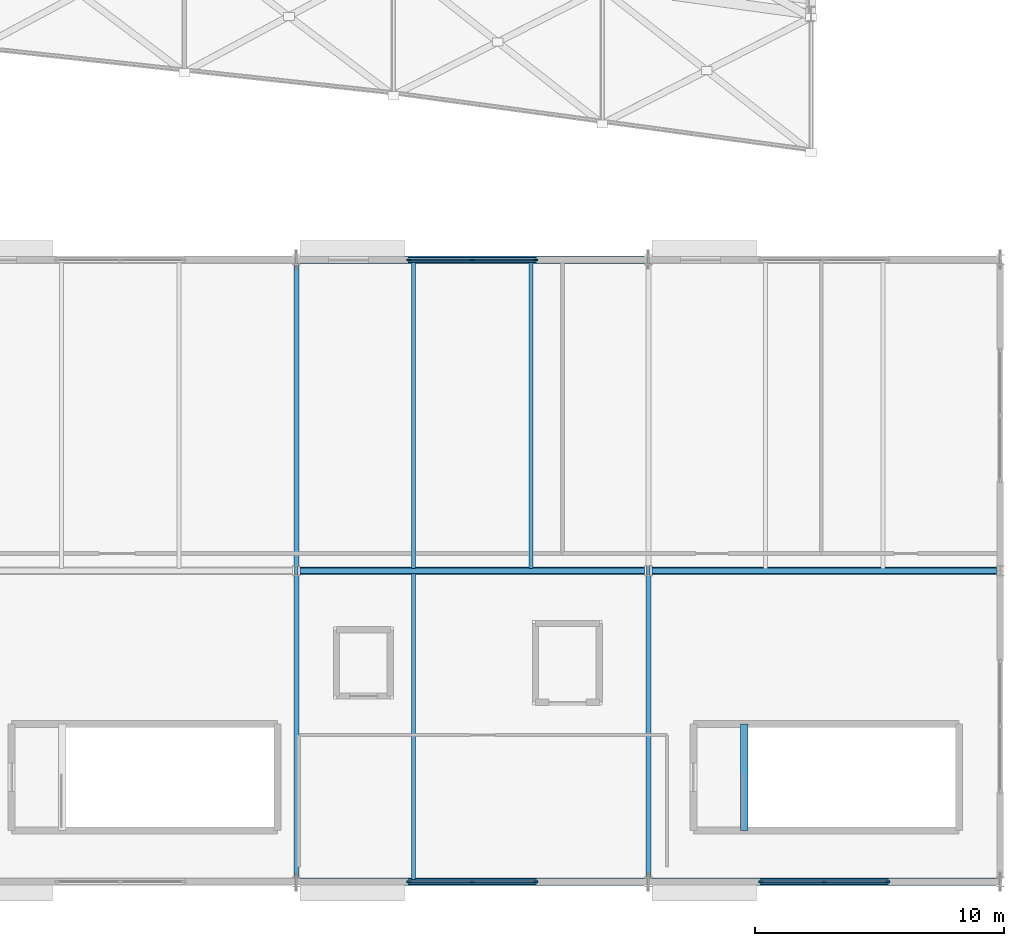
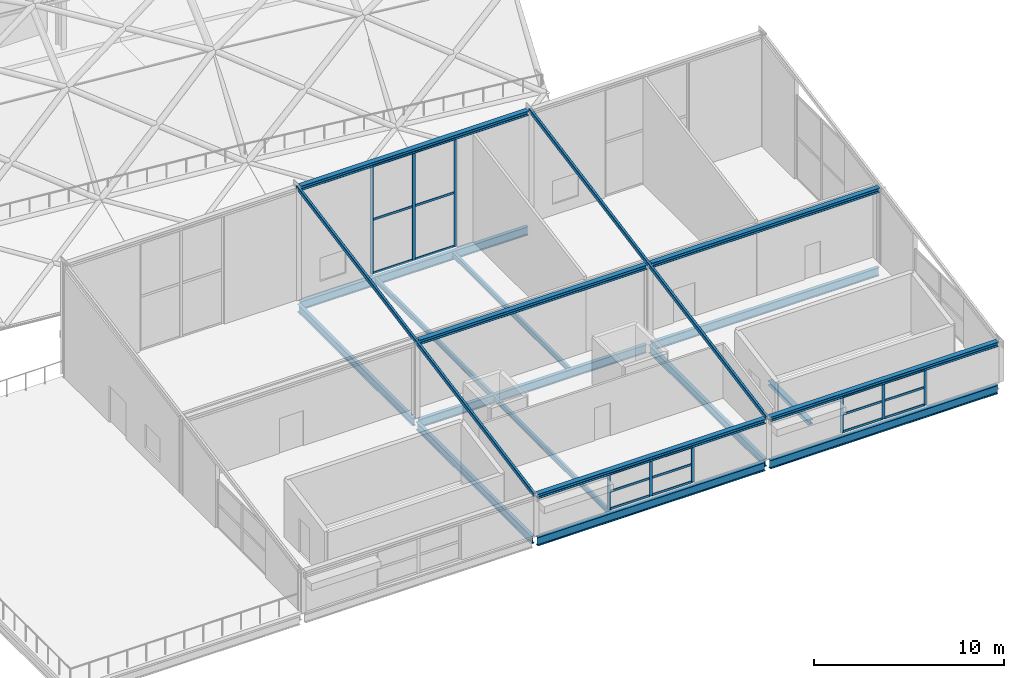
# One storey, part 48 of 100: 29 members, 17 beams, 3 elements without a shape of their own.
"""IFC4 building model written with IfcOpenShell, lengths in metres."""

from ifc_helpers import new_model, si_unit, direction, frame, origin, origin_2d, place, context, subcontext, project, spatial, rectangle, hollow_rectangle, i_section, extrude, material, material_profile, profile_set, type_object, element, aggregate, save


model = new_model("IFC4")

# Units and contexts
model_context = context("Model", 3, precision=1e-05, world=origin(), true_north=direction((0.0, 1.0)))
body_context = subcontext(model_context, "Body", "Model", "MODEL_VIEW")
ifc_project = project(units=[si_unit("LENGTHUNIT", "METRE"), si_unit("AREAUNIT", "SQUARE_METRE"), si_unit("VOLUMEUNIT", "CUBIC_METRE"), si_unit("PLANEANGLEUNIT", "RADIAN"), si_unit("MASSUNIT", "GRAM", prefix="KILO")], contexts=[model_context])

# Site, building, storey
site_placement = place(None, origin())
site = spatial("IfcSite", under=ifc_project, at=site_placement, CompositionType="ELEMENT")
building_placement = place(site_placement, origin())
building = spatial("IfcBuilding", under=site, at=building_placement, Name="Kimbaza Rail Terminus", CompositionType="ELEMENT")
storey_placement = place(building_placement, frame((0.0, 0.0, 10.800048828125)))
storey = spatial("IfcBuildingStorey", under=building, at=storey_placement, Name="L02", CompositionType="ELEMENT", Elevation=10.800048828125)

# Curtain wall, members
ifc_material_1 = material(Name="Anodised aluminium framing and solar low-E glazing", Category="aluminium")
curtain_wall_type = type_object("IfcCurtainWallType", Name="ARC-CW-PV1", PredefinedType="USERDEFINED", material=ifc_material_1)
curtain_wall_1_placement = place(storey_placement, origin())
curtain_wall_1 = element("IfcCurtainWall", 1, at=curtain_wall_1_placement, inside=storey, type_object=curtain_wall_type, Name="Pavilion N Curtain Wall L02.2", ObjectType="STICK CURTAIN WALL", PredefinedType="USERDEFINED")
ifc_material_2 = material(Name="Anodised architectural aluminium", Category="aluminium")
ifc_material_profile_1 = material_profile(ifc_material_2, rectangle(XDim=0.06494140625, YDim=0.175048828125, at=origin_2d()), Name="MULLION 65x175")
ifc_profile_set_1 = profile_set([ifc_material_profile_1], Name="Anodised architectural aluminium")
member_type_1 = type_object("IfcMemberType", Name="ARC-CWM-04", PredefinedType="MULLION", material=ifc_profile_set_1)
member_1_placement = place(storey_placement, frame((190.232421875, 38.0, 0.0), z_axis=(0.0, 0.0, 1.0), x_axis=(0.0, 1.0, 0.0)))
member_1 = element("IfcMember", 2, at=member_1_placement, type_object=member_type_1, Name="CW-04 mullion 1", PredefinedType="MULLION", context=body_context, shape_type="SweptSolid", body=[
    extrude(rectangle(XDim=0.06494140625, YDim=0.175048828125, at=origin_2d()), origin(), (0.0, 0.0, 1.0), 6.945068359375),
])
member_2_placement = place(storey_placement, frame((192.77490234375, 38.0, 0.0), z_axis=(0.0, 0.0, 1.0), x_axis=(0.0, 1.0, 0.0)))
member_2 = element("IfcMember", 3, at=member_2_placement, type_object=member_type_1, Name="CW-04 mullion 2", PredefinedType="MULLION", context=body_context, shape_type="SweptSolid", body=[
    extrude(rectangle(XDim=0.06494140625, YDim=0.175048828125, at=origin_2d()), origin(), (0.0, 0.0, 1.0), 6.945068359375),
])
member_3_placement = place(storey_placement, frame((195.3173828125, 38.0, 0.0), z_axis=(0.0, 0.0, 1.0), x_axis=(0.0, 1.0, 0.0)))
member_3 = element("IfcMember", 4, at=member_3_placement, type_object=member_type_1, Name="CW-04 mullion 3", PredefinedType="MULLION", context=body_context, shape_type="SweptSolid", body=[
    extrude(rectangle(XDim=0.06494140625, YDim=0.175048828125, at=origin_2d()), origin(), (0.0, 0.0, 1.0), 6.945068359375),
])

curtain_wall_2_placement = place(storey_placement, origin())
curtain_wall_2 = element("IfcCurtainWall", 5, at=curtain_wall_2_placement, inside=storey, type_object=curtain_wall_type, Name="Pavilion S Curtain Wall L02.2", ObjectType="STICK CURTAIN WALL", PredefinedType="USERDEFINED")
member_4_placement = place(storey_placement, frame((190.232421875, 13.0, 0.0), z_axis=(0.0, 0.0, 1.0), x_axis=(0.0, 1.0, 0.0)))
member_4 = element("IfcMember", 6, at=member_4_placement, type_object=member_type_1, Name="CW-04 mullion 1", PredefinedType="MULLION", context=body_context, shape_type="SweptSolid", body=[
    extrude(rectangle(XDim=0.06494140625, YDim=0.175048828125, at=origin_2d()), origin(), (0.0, 0.0, 1.0), 2.294921875),
])
member_5_placement = place(storey_placement, frame((192.77490234375, 13.0, 0.0), z_axis=(0.0, 0.0, 1.0), x_axis=(0.0, 1.0, 0.0)))
member_5 = element("IfcMember", 7, at=member_5_placement, type_object=member_type_1, Name="CW-04 mullion 2", PredefinedType="MULLION", context=body_context, shape_type="SweptSolid", body=[
    extrude(rectangle(XDim=0.06494140625, YDim=0.175048828125, at=origin_2d()), origin(), (0.0, 0.0, 1.0), 2.294921875),
])
member_6_placement = place(storey_placement, frame((195.3173828125, 13.0, 0.0), z_axis=(0.0, 0.0, 1.0), x_axis=(0.0, 1.0, 0.0)))
member_6 = element("IfcMember", 8, at=member_6_placement, type_object=member_type_1, Name="CW-04 mullion 3", PredefinedType="MULLION", context=body_context, shape_type="SweptSolid", body=[
    extrude(rectangle(XDim=0.06494140625, YDim=0.175048828125, at=origin_2d()), origin(), (0.0, 0.0, 1.0), 2.294921875),
])

curtain_wall_3_placement = place(storey_placement, origin())
curtain_wall_3 = element("IfcCurtainWall", 9, at=curtain_wall_3_placement, inside=storey, type_object=curtain_wall_type, Name="Pavilion S Curtain Wall L02.3", ObjectType="STICK CURTAIN WALL", PredefinedType="USERDEFINED")
member_7_placement = place(storey_placement, frame((204.382568359375, 13.0, 0.0), z_axis=(0.0, 0.0, 1.0), x_axis=(0.0, 1.0, 0.0)))
member_7 = element("IfcMember", 10, at=member_7_placement, type_object=member_type_1, Name="CW-04 mullion 1", PredefinedType="MULLION", context=body_context, shape_type="SweptSolid", body=[
    extrude(rectangle(XDim=0.06494140625, YDim=0.175048828125, at=origin_2d()), origin(), (0.0, 0.0, 1.0), 2.294921875),
])
member_8_placement = place(storey_placement, frame((206.925048828125, 13.0, 0.0), z_axis=(0.0, 0.0, 1.0), x_axis=(0.0, 1.0, 0.0)))
member_8 = element("IfcMember", 11, at=member_8_placement, type_object=member_type_1, Name="CW-04 mullion 2", PredefinedType="MULLION", context=body_context, shape_type="SweptSolid", body=[
    extrude(rectangle(XDim=0.06494140625, YDim=0.175048828125, at=origin_2d()), origin(), (0.0, 0.0, 1.0), 2.294921875),
])
member_9_placement = place(storey_placement, frame((209.467529296875, 13.0, 0.0), z_axis=(0.0, 0.0, 1.0), x_axis=(0.0, 1.0, 0.0)))
member_9 = element("IfcMember", 12, at=member_9_placement, type_object=member_type_1, Name="CW-04 mullion 3", PredefinedType="MULLION", context=body_context, shape_type="SweptSolid", body=[
    extrude(rectangle(XDim=0.06494140625, YDim=0.175048828125, at=origin_2d()), origin(), (0.0, 0.0, 1.0), 2.294921875),
])

# Member
ifc_material_3 = material(Name="Anodised architectural aluminium", Category="aluminium")
ifc_material_profile_2 = material_profile(ifc_material_3, rectangle(XDim=0.06494140625, YDim=0.139892578125, at=origin_2d()), Name="TRANSOM 65x140")
ifc_profile_set_2 = profile_set([ifc_material_profile_2], Name="Anodised architectural aluminium")
member_type_2 = type_object("IfcMemberType", Name="ARC-CWT-04", PredefinedType="USERDEFINED", material=ifc_profile_set_2)
member_10_placement = place(storey_placement, frame((190.264892578125, 38.0, 0.032470703125), z_axis=(1.0, 0.0, 0.0), x_axis=(0.0, 1.0, 0.0)))
member_10 = element("IfcMember", 13, at=member_10_placement, type_object=member_type_2, Name="CW-04 transom 1.1", ObjectType="TRANSOM", PredefinedType="USERDEFINED", context=body_context, shape_type="SweptSolid", body=[
    extrude(rectangle(XDim=0.06494140625, YDim=0.139892578125, at=origin_2d()), origin(), (0.0, 0.0, 1.0), 2.4775390625),
])

member_11_placement = place(storey_placement, frame((190.264892578125, 38.0, 3.472412109375), z_axis=(1.0, 0.0, 0.0), x_axis=(0.0, 1.0, 0.0)))
member_11 = element("IfcMember", 14, at=member_11_placement, type_object=member_type_2, Name="CW-04 transom 1.2", ObjectType="TRANSOM", PredefinedType="USERDEFINED", context=body_context, shape_type="SweptSolid", body=[
    extrude(rectangle(XDim=0.06494140625, YDim=0.139892578125, at=origin_2d()), origin(), (0.0, 0.0, 1.0), 2.4775390625),
])

member_12_placement = place(storey_placement, frame((190.264892578125, 38.0, 6.912353515625), z_axis=(1.0, 0.0, 0.0), x_axis=(0.0, 1.0, 0.0)))
member_12 = element("IfcMember", 15, at=member_12_placement, type_object=member_type_2, Name="CW-04 transom 1.3", ObjectType="TRANSOM", PredefinedType="USERDEFINED", context=body_context, shape_type="SweptSolid", body=[
    extrude(rectangle(XDim=0.06494140625, YDim=0.139892578125, at=origin_2d()), origin(), (0.0, 0.0, 1.0), 2.4775390625),
])

member_13_placement = place(storey_placement, frame((192.8076171875, 38.0, 0.032470703125), z_axis=(1.0, 0.0, 0.0), x_axis=(0.0, 1.0, 0.0)))
member_13 = element("IfcMember", 16, at=member_13_placement, type_object=member_type_2, Name="CW-04 transom 2.1", ObjectType="TRANSOM", PredefinedType="USERDEFINED", context=body_context, shape_type="SweptSolid", body=[
    extrude(rectangle(XDim=0.06494140625, YDim=0.139892578125, at=origin_2d()), origin(), (0.0, 0.0, 1.0), 2.477294921875),
])

member_14_placement = place(storey_placement, frame((192.8076171875, 38.0, 3.472412109375), z_axis=(1.0, 0.0, 0.0), x_axis=(0.0, 1.0, 0.0)))
member_14 = element("IfcMember", 17, at=member_14_placement, type_object=member_type_2, Name="CW-04 transom 2.2", ObjectType="TRANSOM", PredefinedType="USERDEFINED", context=body_context, shape_type="SweptSolid", body=[
    extrude(rectangle(XDim=0.06494140625, YDim=0.139892578125, at=origin_2d()), origin(), (0.0, 0.0, 1.0), 2.477294921875),
])

member_15_placement = place(storey_placement, frame((192.8076171875, 38.0, 6.912353515625), z_axis=(1.0, 0.0, 0.0), x_axis=(0.0, 1.0, 0.0)))
member_15 = element("IfcMember", 18, at=member_15_placement, type_object=member_type_2, Name="CW-04 transom 2.3", ObjectType="TRANSOM", PredefinedType="USERDEFINED", context=body_context, shape_type="SweptSolid", body=[
    extrude(rectangle(XDim=0.06494140625, YDim=0.139892578125, at=origin_2d()), origin(), (0.0, 0.0, 1.0), 2.477294921875),
])

aggregate(curtain_wall_1, [member_1, member_2, member_3, member_10, member_11, member_12, member_13, member_14, member_15])

member_16_placement = place(storey_placement, frame((190.264892578125, 13.0, 0.032470703125), z_axis=(1.0, 0.0, 0.0), x_axis=(0.0, 1.0, 0.0)))
member_16 = element("IfcMember", 19, at=member_16_placement, type_object=member_type_2, Name="CW-04 transom 1.1", ObjectType="TRANSOM", PredefinedType="USERDEFINED", context=body_context, shape_type="SweptSolid", body=[
    extrude(rectangle(XDim=0.06494140625, YDim=0.139892578125, at=origin_2d()), origin(), (0.0, 0.0, 1.0), 2.4775390625),
])

member_17_placement = place(storey_placement, frame((190.264892578125, 13.0, 1.1474609375), z_axis=(1.0, 0.0, 0.0), x_axis=(0.0, 1.0, 0.0)))
member_17 = element("IfcMember", 20, at=member_17_placement, type_object=member_type_2, Name="CW-04 transom 1.2", ObjectType="TRANSOM", PredefinedType="USERDEFINED", context=body_context, shape_type="SweptSolid", body=[
    extrude(rectangle(XDim=0.06494140625, YDim=0.139892578125, at=origin_2d()), origin(), (0.0, 0.0, 1.0), 2.4775390625),
])

member_18_placement = place(storey_placement, frame((190.264892578125, 13.0, 2.262451171875), z_axis=(1.0, 0.0, 0.0), x_axis=(0.0, 1.0, 0.0)))
member_18 = element("IfcMember", 21, at=member_18_placement, type_object=member_type_2, Name="CW-04 transom 1.3", ObjectType="TRANSOM", PredefinedType="USERDEFINED", context=body_context, shape_type="SweptSolid", body=[
    extrude(rectangle(XDim=0.06494140625, YDim=0.139892578125, at=origin_2d()), origin(), (0.0, 0.0, 1.0), 2.4775390625),
])

member_19_placement = place(storey_placement, frame((192.8076171875, 13.0, 0.032470703125), z_axis=(1.0, 0.0, 0.0), x_axis=(0.0, 1.0, 0.0)))
member_19 = element("IfcMember", 22, at=member_19_placement, type_object=member_type_2, Name="CW-04 transom 2.1", ObjectType="TRANSOM", PredefinedType="USERDEFINED", context=body_context, shape_type="SweptSolid", body=[
    extrude(rectangle(XDim=0.06494140625, YDim=0.139892578125, at=origin_2d()), origin(), (0.0, 0.0, 1.0), 2.477294921875),
])

member_20_placement = place(storey_placement, frame((192.8076171875, 13.0, 1.1474609375), z_axis=(1.0, 0.0, 0.0), x_axis=(0.0, 1.0, 0.0)))
member_20 = element("IfcMember", 23, at=member_20_placement, type_object=member_type_2, Name="CW-04 transom 2.2", ObjectType="TRANSOM", PredefinedType="USERDEFINED", context=body_context, shape_type="SweptSolid", body=[
    extrude(rectangle(XDim=0.06494140625, YDim=0.139892578125, at=origin_2d()), origin(), (0.0, 0.0, 1.0), 2.477294921875),
])

member_21_placement = place(storey_placement, frame((192.8076171875, 13.0, 2.262451171875), z_axis=(1.0, 0.0, 0.0), x_axis=(0.0, 1.0, 0.0)))
member_21 = element("IfcMember", 24, at=member_21_placement, type_object=member_type_2, Name="CW-04 transom 2.3", ObjectType="TRANSOM", PredefinedType="USERDEFINED", context=body_context, shape_type="SweptSolid", body=[
    extrude(rectangle(XDim=0.06494140625, YDim=0.139892578125, at=origin_2d()), origin(), (0.0, 0.0, 1.0), 2.477294921875),
])

aggregate(curtain_wall_2, [member_4, member_5, member_6, member_16, member_17, member_18, member_19, member_20, member_21])

member_22_placement = place(storey_placement, frame((204.4150390625, 13.0, 0.032470703125), z_axis=(1.0, 0.0, 0.0), x_axis=(0.0, 1.0, 0.0)))
member_22 = element("IfcMember", 25, at=member_22_placement, type_object=member_type_2, Name="CW-04 transom 1.1", ObjectType="TRANSOM", PredefinedType="USERDEFINED", context=body_context, shape_type="SweptSolid", body=[
    extrude(rectangle(XDim=0.06494140625, YDim=0.139892578125, at=origin_2d()), origin(), (0.0, 0.0, 1.0), 2.4775390625),
])

member_23_placement = place(storey_placement, frame((204.4150390625, 13.0, 1.1474609375), z_axis=(1.0, 0.0, 0.0), x_axis=(0.0, 1.0, 0.0)))
member_23 = element("IfcMember", 26, at=member_23_placement, type_object=member_type_2, Name="CW-04 transom 1.2", ObjectType="TRANSOM", PredefinedType="USERDEFINED", context=body_context, shape_type="SweptSolid", body=[
    extrude(rectangle(XDim=0.06494140625, YDim=0.139892578125, at=origin_2d()), origin(), (0.0, 0.0, 1.0), 2.4775390625),
])

member_24_placement = place(storey_placement, frame((204.4150390625, 13.0, 2.262451171875), z_axis=(1.0, 0.0, 0.0), x_axis=(0.0, 1.0, 0.0)))
member_24 = element("IfcMember", 27, at=member_24_placement, type_object=member_type_2, Name="CW-04 transom 1.3", ObjectType="TRANSOM", PredefinedType="USERDEFINED", context=body_context, shape_type="SweptSolid", body=[
    extrude(rectangle(XDim=0.06494140625, YDim=0.139892578125, at=origin_2d()), origin(), (0.0, 0.0, 1.0), 2.4775390625),
])

member_25_placement = place(storey_placement, frame((206.95751953125, 13.0, 0.032470703125), z_axis=(1.0, 0.0, 0.0), x_axis=(0.0, 1.0, 0.0)))
member_25 = element("IfcMember", 28, at=member_25_placement, type_object=member_type_2, Name="CW-04 transom 2.1", ObjectType="TRANSOM", PredefinedType="USERDEFINED", context=body_context, shape_type="SweptSolid", body=[
    extrude(rectangle(XDim=0.06494140625, YDim=0.139892578125, at=origin_2d()), origin(), (0.0, 0.0, 1.0), 2.4775390625),
])

member_26_placement = place(storey_placement, frame((206.95751953125, 13.0, 1.1474609375), z_axis=(1.0, 0.0, 0.0), x_axis=(0.0, 1.0, 0.0)))
member_26 = element("IfcMember", 29, at=member_26_placement, type_object=member_type_2, Name="CW-04 transom 2.2", ObjectType="TRANSOM", PredefinedType="USERDEFINED", context=body_context, shape_type="SweptSolid", body=[
    extrude(rectangle(XDim=0.06494140625, YDim=0.139892578125, at=origin_2d()), origin(), (0.0, 0.0, 1.0), 2.4775390625),
])

member_27_placement = place(storey_placement, frame((206.95751953125, 13.0, 2.262451171875), z_axis=(1.0, 0.0, 0.0), x_axis=(0.0, 1.0, 0.0)))
member_27 = element("IfcMember", 30, at=member_27_placement, type_object=member_type_2, Name="CW-04 transom 2.3", ObjectType="TRANSOM", PredefinedType="USERDEFINED", context=body_context, shape_type="SweptSolid", body=[
    extrude(rectangle(XDim=0.06494140625, YDim=0.139892578125, at=origin_2d()), origin(), (0.0, 0.0, 1.0), 2.4775390625),
])

aggregate(curtain_wall_3, [member_7, member_8, member_9, member_22, member_23, member_24, member_25, member_26, member_27])

# Beams
ifc_material_4 = material(Name="Steel S355", Category="steel")
ifc_material_profile_3 = material_profile(ifc_material_4, i_section(OverallWidth=0.300048828125, OverallDepth=0.2900390625, WebThickness=0.008544921875, FlangeThickness=0.013916015625, FilletRadius=0.027099609375, at=origin_2d()), Name="HEA 300")
ifc_profile_set_3 = profile_set([ifc_material_profile_3], Name="Steel S355")
beam_type_1 = type_object("IfcBeamType", Name="STR-BM-HEA300", PredefinedType="SPANDREL", material=ifc_profile_set_3)
beam_1_placement = place(storey_placement, frame((185.845947265625, 13.0, 2.445068359375), z_axis=(1.0, 0.0, 0.0), x_axis=(0.0, 1.0, 0.0)))
element("IfcBeam", 31, at=beam_1_placement, inside=storey, type_object=beam_type_1, Name="Beam BM-V4RFX-2-0", PredefinedType="SPANDREL", context=body_context, shape_type="SweptSolid", body=[
    extrude(i_section(OverallWidth=0.300048828125, OverallDepth=0.2900390625, WebThickness=0.008544921875, FlangeThickness=0.013916015625, FilletRadius=0.027099609375, at=origin_2d()), origin(), (0.0, 0.0, 1.0), 13.858154296875),
])
beam_2_placement = place(storey_placement, frame((199.99609375, 13.0, 2.445068359375), z_axis=(1.0, 0.0, 0.0), x_axis=(0.0, 1.0, 0.0)))
element("IfcBeam", 32, at=beam_2_placement, inside=storey, type_object=beam_type_1, Name="Beam BM-V4RFX-3-0", PredefinedType="SPANDREL", context=body_context, shape_type="SweptSolid", body=[
    extrude(i_section(OverallWidth=0.300048828125, OverallDepth=0.2900390625, WebThickness=0.008544921875, FlangeThickness=0.013916015625, FilletRadius=0.027099609375, at=origin_2d()), origin(), (0.0, 0.0, 1.0), 13.85791015625),
])
beam_3_placement = place(storey_placement, frame((185.845947265625, 25.5, 4.77001953125), z_axis=(1.0, 0.0, 0.0), x_axis=(0.0, 1.0, 0.0)))
element("IfcBeam", 33, at=beam_3_placement, inside=storey, type_object=beam_type_1, Name="Beam BM-V4RFX-2-1", PredefinedType="SPANDREL", context=body_context, shape_type="SweptSolid", body=[
    extrude(i_section(OverallWidth=0.300048828125, OverallDepth=0.2900390625, WebThickness=0.008544921875, FlangeThickness=0.013916015625, FilletRadius=0.027099609375, at=origin_2d()), origin(), (0.0, 0.0, 1.0), 13.858154296875),
])
beam_4_placement = place(storey_placement, frame((199.99609375, 25.5, 4.77001953125), z_axis=(1.0, 0.0, 0.0), x_axis=(0.0, 1.0, 0.0)))
element("IfcBeam", 34, at=beam_4_placement, inside=storey, type_object=beam_type_1, Name="Beam BM-V4RFX-3-1", PredefinedType="SPANDREL", context=body_context, shape_type="SweptSolid", body=[
    extrude(i_section(OverallWidth=0.300048828125, OverallDepth=0.2900390625, WebThickness=0.008544921875, FlangeThickness=0.013916015625, FilletRadius=0.027099609375, at=origin_2d()), origin(), (0.0, 0.0, 1.0), 13.85791015625),
])
beam_5_placement = place(storey_placement, frame((185.845947265625, 38.0, 7.094970703125), z_axis=(1.0, 0.0, 0.0), x_axis=(0.0, 1.0, 0.0)))
element("IfcBeam", 35, at=beam_5_placement, inside=storey, type_object=beam_type_1, Name="Beam BM-V4RFX-2-2", PredefinedType="SPANDREL", context=body_context, shape_type="SweptSolid", body=[
    extrude(i_section(OverallWidth=0.300048828125, OverallDepth=0.2900390625, WebThickness=0.008544921875, FlangeThickness=0.013916015625, FilletRadius=0.027099609375, at=origin_2d()), origin(), (0.0, 0.0, 1.0), 13.858154296875),
])
beam_6_placement = place(storey_placement, frame((203.699951171875, 15.06005859375, -0.364990234375), z_axis=(0.0, 1.0, 0.0), x_axis=(-1.0, 0.0, 0.0)))
element("IfcBeam", 36, at=beam_6_placement, inside=storey, type_object=beam_type_1, Name="Retail Pavilion East Stair Landing Trimmer Beam L02", PredefinedType="SPANDREL", context=body_context, shape_type="SweptSolid", body=[
    extrude(i_section(OverallWidth=0.300048828125, OverallDepth=0.2900390625, WebThickness=0.008544921875, FlangeThickness=0.013916015625, FilletRadius=0.027099609375, at=origin_2d()), origin(), (0.0, 0.0, 1.0), 4.280029296875),
])
ifc_material_5 = material(Name="Steel S355", Category="steel")
ifc_material_profile_4 = material_profile(ifc_material_5, i_section(OverallWidth=0.159912109375, OverallDepth=0.330078125, WebThickness=0.007568359375, FlangeThickness=0.011474609375, FilletRadius=0.01806640625, at=origin_2d()), Name="IPE 330")
ifc_profile_set_4 = profile_set([ifc_material_profile_4], Name="Steel S355")
beam_type_2 = type_object("IfcBeamType", Name="STR-BM-IPE330", PredefinedType="JOIST", material=ifc_profile_set_4)
for number, where, z_axis, x_axis, name in (
    (37, (190.416748046875, 13.10009765625, -0.385009765625), (0.0, 1.0, 0.0), (-1.0, 0.0, 0.0), "Beam JST-V4-L02-2-1-0"),
    (38, (190.416748046875, 25.60009765625, -0.385009765625), (0.0, 1.0, 0.0), (-1.0, 0.0, 0.0), "Beam JST-V4-L02-2-1-1"),
    (39, (195.13330078125, 25.60009765625, -0.385009765625), (0.0, 1.0, 0.0), (-1.0, 0.0, 0.0), "Beam JST-V4-L02-2-2-1"),
):
    element("IfcBeam", number, at=place(storey_placement, frame(where, z_axis=z_axis, x_axis=x_axis)), inside=storey, type_object=beam_type_2, Name=name, PredefinedType="JOIST", context=body_context, shape_type="SweptSolid", body=[
        extrude(i_section(OverallWidth=0.159912109375, OverallDepth=0.330078125, WebThickness=0.007568359375, FlangeThickness=0.011474609375, FilletRadius=0.01806640625, at=origin_2d()), origin(), (0.0, 0.0, 1.0), 12.2998046875),
    ])
ifc_material_6 = material(Name="Steel S355", Category="steel")
ifc_material_profile_5 = material_profile(ifc_material_6, i_section(OverallWidth=0.199951171875, OverallDepth=0.5, WebThickness=0.01025390625, FlangeThickness=0.01611328125, FilletRadius=0.02099609375, at=origin_2d()), Name="IPE 500")
ifc_profile_set_5 = profile_set([ifc_material_profile_5], Name="Steel S355")
beam_type_3 = type_object("IfcBeamType", Name="STR-BM-IPE500", PredefinedType="BEAM", material=ifc_profile_set_5)
for number, where, z_axis, x_axis, name in (
    (40, (185.699951171875, 13.175048828125, -0.469970703125), (0.0, 1.0, 0.0), (-1.0, 0.0, 0.0), "Beam BM-V4Y-L02-2-0"),
    (41, (185.699951171875, 25.675048828125, -0.469970703125), (0.0, 1.0, 0.0), (-1.0, 0.0, 0.0), "Beam BM-V4Y-L02-2-1"),
    (42, (199.85009765625, 13.175048828125, -0.469970703125), (0.0, 1.0, 0.0), (-1.0, 0.0, 0.0), "Beam BM-V4Y-L02-3-0"),
):
    element("IfcBeam", number, at=place(storey_placement, frame(where, z_axis=z_axis, x_axis=x_axis)), inside=storey, type_object=beam_type_3, Name=name, PredefinedType="BEAM", context=body_context, shape_type="SweptSolid", body=[
        extrude(i_section(OverallWidth=0.199951171875, OverallDepth=0.5, WebThickness=0.01025390625, FlangeThickness=0.01611328125, FilletRadius=0.02099609375, at=origin_2d()), origin(), (0.0, 0.0, 1.0), 12.14990234375),
    ])
ifc_material_7 = material(Name="Steel S355", Category="steel")
ifc_material_profile_6 = material_profile(ifc_material_7, i_section(OverallWidth=0.2099609375, OverallDepth=0.550048828125, WebThickness=0.010986328125, FlangeThickness=0.01708984375, FilletRadius=0.02392578125, at=origin_2d()), Name="IPE 550")
ifc_profile_set_6 = profile_set([ifc_material_profile_6], Name="Steel S355")
beam_type_4 = type_object("IfcBeamType", Name="STR-BM-IPE550", PredefinedType="BEAM", material=ifc_profile_set_6)
beam_7_placement = place(storey_placement, frame((185.845947265625, 13.0, -0.4951171875), z_axis=(1.0, 0.0, 0.0), x_axis=(0.0, 1.0, 0.0)))
element("IfcBeam", 43, at=beam_7_placement, inside=storey, type_object=beam_type_4, Name="Beam BM-V4X-L02-2-0", PredefinedType="BEAM", context=body_context, shape_type="SweptSolid", body=[
    extrude(i_section(OverallWidth=0.2099609375, OverallDepth=0.550048828125, WebThickness=0.010986328125, FlangeThickness=0.01708984375, FilletRadius=0.02392578125, at=origin_2d()), origin(), (0.0, 0.0, 1.0), 13.858154296875),
])
beam_8_placement = place(storey_placement, frame((199.99609375, 13.0, -0.4951171875), z_axis=(1.0, 0.0, 0.0), x_axis=(0.0, 1.0, 0.0)))
element("IfcBeam", 44, at=beam_8_placement, inside=storey, type_object=beam_type_4, Name="Beam BM-V4X-L02-3-0", PredefinedType="BEAM", context=body_context, shape_type="SweptSolid", body=[
    extrude(i_section(OverallWidth=0.2099609375, OverallDepth=0.550048828125, WebThickness=0.010986328125, FlangeThickness=0.01708984375, FilletRadius=0.02392578125, at=origin_2d()), origin(), (0.0, 0.0, 1.0), 13.85791015625),
])
beam_9_placement = place(storey_placement, frame((185.845947265625, 25.5, -0.4951171875), z_axis=(1.0, 0.0, 0.0), x_axis=(0.0, 1.0, 0.0)))
element("IfcBeam", 45, at=beam_9_placement, inside=storey, type_object=beam_type_4, Name="Beam BM-V4X-L02-2-1", PredefinedType="BEAM", context=body_context, shape_type="SweptSolid", body=[
    extrude(i_section(OverallWidth=0.2099609375, OverallDepth=0.550048828125, WebThickness=0.010986328125, FlangeThickness=0.01708984375, FilletRadius=0.02392578125, at=origin_2d()), origin(), (0.0, 0.0, 1.0), 13.858154296875),
])
beam_10_placement = place(storey_placement, frame((199.99609375, 25.5, -0.4951171875), z_axis=(1.0, 0.0, 0.0), x_axis=(0.0, 1.0, 0.0)))
element("IfcBeam", 46, at=beam_10_placement, inside=storey, type_object=beam_type_4, Name="Beam BM-V4X-L02-3-1", PredefinedType="BEAM", context=body_context, shape_type="SweptSolid", body=[
    extrude(i_section(OverallWidth=0.2099609375, OverallDepth=0.550048828125, WebThickness=0.010986328125, FlangeThickness=0.01708984375, FilletRadius=0.02392578125, at=origin_2d()), origin(), (0.0, 0.0, 1.0), 13.85791015625),
])
beam_11_placement = place(storey_placement, frame((185.845947265625, 38.0, -0.4951171875), z_axis=(1.0, 0.0, 0.0), x_axis=(0.0, 1.0, 0.0)))
element("IfcBeam", 47, at=beam_11_placement, inside=storey, type_object=beam_type_4, Name="Beam BM-V4X-L02-2-2", PredefinedType="BEAM", context=body_context, shape_type="SweptSolid", body=[
    extrude(i_section(OverallWidth=0.2099609375, OverallDepth=0.550048828125, WebThickness=0.010986328125, FlangeThickness=0.01708984375, FilletRadius=0.02392578125, at=origin_2d()), origin(), (0.0, 0.0, 1.0), 13.858154296875),
])

# Members
ifc_material_8 = material(Name="White painted steel S355", Category="steel")
ifc_material_profile_7 = material_profile(ifc_material_8, hollow_rectangle(XDim=0.14990234375, YDim=0.25, WallThickness=0.008056640625, InnerFilletRadius=0.011962890625, OuterFilletRadius=0.02001953125, at=origin_2d()), Name="RHS 250x150x8")
ifc_profile_set_7 = profile_set([ifc_material_profile_7], Name="White painted steel S355")
member_type_3 = type_object("IfcMemberType", Name="STR-MB-RHS250", PredefinedType="STRUT", material=ifc_profile_set_7)
for number, where, z_axis, x_axis, name in (
    (48, (185.699951171875, 13.0, 2.530029296875), (0.0, 0.983138961707, 0.182860006491), (-1.0, 0.0, 0.0), "Pavilion Mono-Pitch Rafter 2"),
    (49, (199.85009765625, 13.0, 2.530029296875), (0.0, 0.983138961707, 0.182860006491), (-1.0, 0.0, 0.0), "Pavilion Mono-Pitch Rafter 3"),
):
    element("IfcMember", number, at=place(storey_placement, frame(where, z_axis=z_axis, x_axis=x_axis)), inside=storey, type_object=member_type_3, Name=name, PredefinedType="STRUT", context=body_context, shape_type="SweptSolid", body=[
        extrude(hollow_rectangle(XDim=0.14990234375, YDim=0.25, WallThickness=0.008056640625, InnerFilletRadius=0.011962890625, OuterFilletRadius=0.02001953125, at=origin_2d()), origin(), (0.0, 0.0, 1.0), 25.4287109375),
    ])

save(model, "model.ifc")
